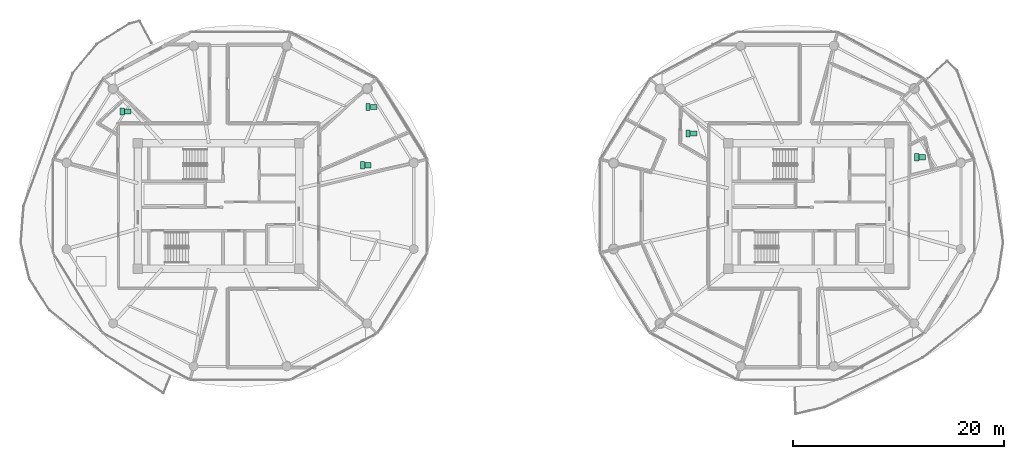
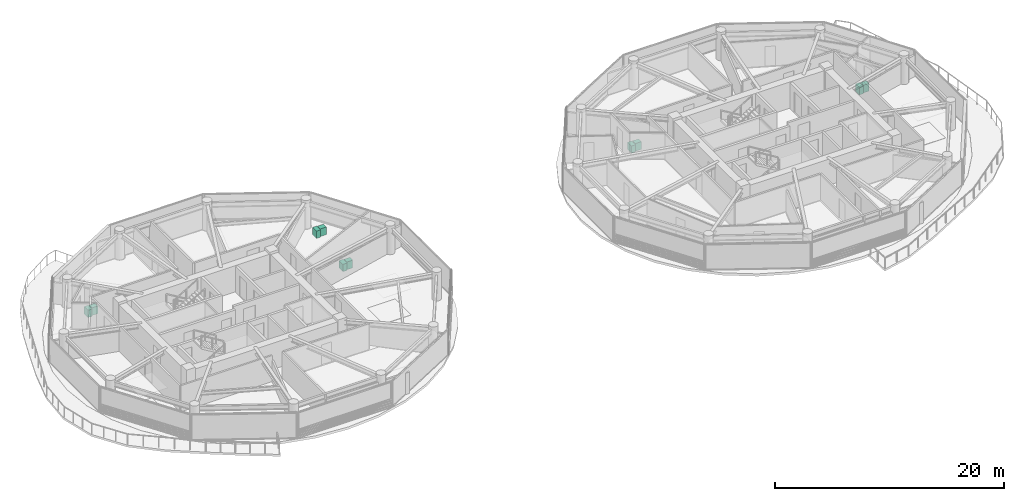
# One storey, part 25 of 25: 10 sanitary terminals.
"""IFC4 building model written with IfcOpenShell, lengths in metres."""

from ifc_helpers import new_model, si_unit, direction, frame, origin, origin_2d, place, context, subcontext, project, spatial, rectangle, extrude, source, transform, mapped, material, type_object, type_shapes, element, save


model = new_model("IFC4")

# Units and contexts
model_context = context("Model", 3, precision=1e-05, world=origin(), true_north=direction((0.0, 1.0)))
body_context = subcontext(model_context, "Body", "Model", "MODEL_VIEW")
ifc_project = project(units=[si_unit("LENGTHUNIT", "METRE"), si_unit("AREAUNIT", "SQUARE_METRE"), si_unit("VOLUMEUNIT", "CUBIC_METRE"), si_unit("PLANEANGLEUNIT", "RADIAN"), si_unit("MASSUNIT", "GRAM", prefix="KILO")], contexts=[model_context])

# Site, building, storey
site_placement = place(None, origin())
site = spatial("IfcSite", under=ifc_project, at=site_placement, CompositionType="ELEMENT")
building_placement = place(site_placement, origin())
building = spatial("IfcBuilding", under=site, at=building_placement, Name="Norrkilde Senior Care Towers", CompositionType="ELEMENT")
storey_placement = place(building_placement, frame((0.0, 0.0, 99.300048828125)))
storey = spatial("IfcBuildingStorey", under=building, at=storey_placement, Name="L30", CompositionType="ELEMENT", Elevation=99.300048828125)

# Sanitary terminals
ifc_material = material(Name="Porcelain Ceramic")
sanitary_terminal_type_1 = type_object("IfcSanitaryTerminalType", Name="Accessible Senior WC Suite", PredefinedType="TOILETPAN", material=ifc_material)
shared_shape_1 = source(origin(), body_context, "Body", "SweptSolid", [
    extrude(rectangle(XDim=0.419921875, YDim=0.679931640625, at=origin_2d()), origin(), (0.0, 0.0, 1.0), 0.780029296875),
])
type_shapes(sanitary_terminal_type_1, [shared_shape_1])
for number, where, z_axis, x_axis, name in (
    (1, (-37.15185546875, 8.9560546875, 0.0), (0.0, 0.0, 1.0), (1.0, 0.0, 0.0), "L30 Accessible WC Pan 0102"),
    (2, (-14.346435546875, 3.87109375, 0.0), (0.0, 0.0, 1.0), (1.0, 0.0, 0.0), "L30 Accessible WC Pan 0103"),
    (3, (-13.822021484375, 9.398681640625, 0.0), (0.0, 0.0, 1.0), (1.0, 0.0, 0.0), "L30 Accessible WC Pan 0104"),
    (4, (16.536865234375, 6.888916015625, 0.0), (0.0, 0.0, 1.0), (1.0, 0.0, 0.0), "L30 Accessible WC Pan 0105"),
    (5, (38.237060546875, 4.631591796875, 0.0), (0.0, 0.0, 1.0), (1.0, 0.0, 0.0), "L30 Accessible WC Pan 0106"),
):
    element("IfcSanitaryTerminal", number, at=place(storey_placement, frame(where, z_axis=z_axis, x_axis=x_axis)), inside=storey, type_object=sanitary_terminal_type_1, Name=name, PredefinedType="TOILETPAN", context=body_context, shape_type="MappedRepresentation", body=[
        mapped(shared_shape_1, transform((0.0, 0.0, 0.0), x_axis=(1.0, 0.0, 0.0), y_axis=(0.0, 1.0, 0.0), z_axis=(0.0, 0.0, 1.0), scale=1.0)),
    ])
sanitary_terminal_type_2 = type_object("IfcSanitaryTerminalType", Name="Thermostatic Care Washbasin", PredefinedType="WASHHANDBASIN", material=ifc_material)
shared_shape_2 = source(origin(), body_context, "Body", "SweptSolid", [
    extrude(rectangle(XDim=0.60009765625, YDim=0.5, at=origin_2d()), origin(), (0.0, 0.0, 1.0), 0.820068359375),
])
type_shapes(sanitary_terminal_type_2, [shared_shape_2])
for number, where, z_axis, x_axis, name in (
    (6, (-36.621826171875, 8.9560546875, 0.0), (0.0, 0.0, 1.0), (1.0, 0.0, 0.0), "L30 Accessible Washbasin 0102"),
    (7, (-13.81640625, 3.87109375, 0.0), (0.0, 0.0, 1.0), (1.0, 0.0, 0.0), "L30 Accessible Washbasin 0103"),
    (8, (-13.2919921875, 9.398681640625, 0.0), (0.0, 0.0, 1.0), (1.0, 0.0, 0.0), "L30 Accessible Washbasin 0104"),
    (9, (17.06689453125, 6.888916015625, 0.0), (0.0, 0.0, 1.0), (1.0, 0.0, 0.0), "L30 Accessible Washbasin 0105"),
    (10, (38.76708984375, 4.631591796875, 0.0), (0.0, 0.0, 1.0), (1.0, 0.0, 0.0), "L30 Accessible Washbasin 0106"),
):
    element("IfcSanitaryTerminal", number, at=place(storey_placement, frame(where, z_axis=z_axis, x_axis=x_axis)), inside=storey, type_object=sanitary_terminal_type_2, Name=name, PredefinedType="WASHHANDBASIN", context=body_context, shape_type="MappedRepresentation", body=[
        mapped(shared_shape_2, transform((0.0, 0.0, 0.0), x_axis=(1.0, 0.0, 0.0), y_axis=(0.0, 1.0, 0.0), z_axis=(0.0, 0.0, 1.0), scale=1.0)),
    ])

save(model, "model.ifc")
